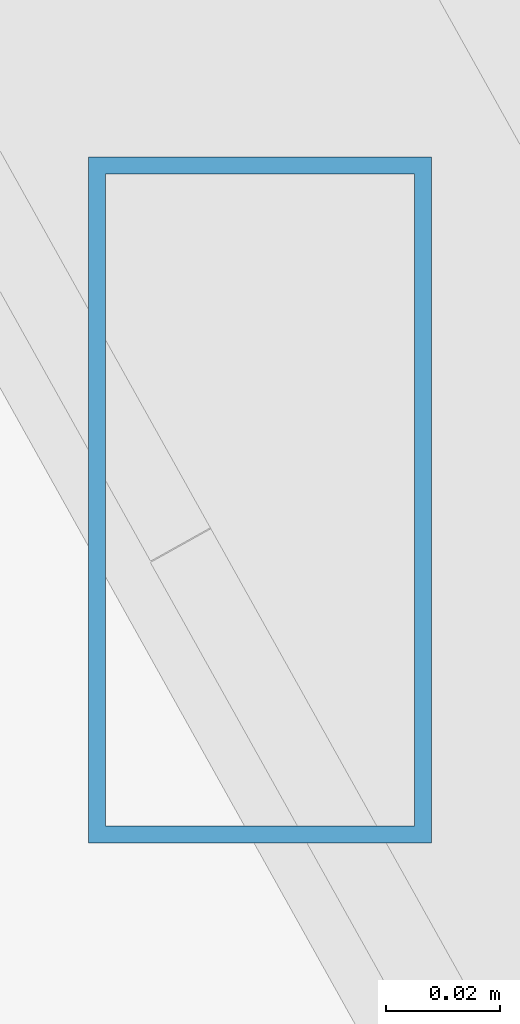
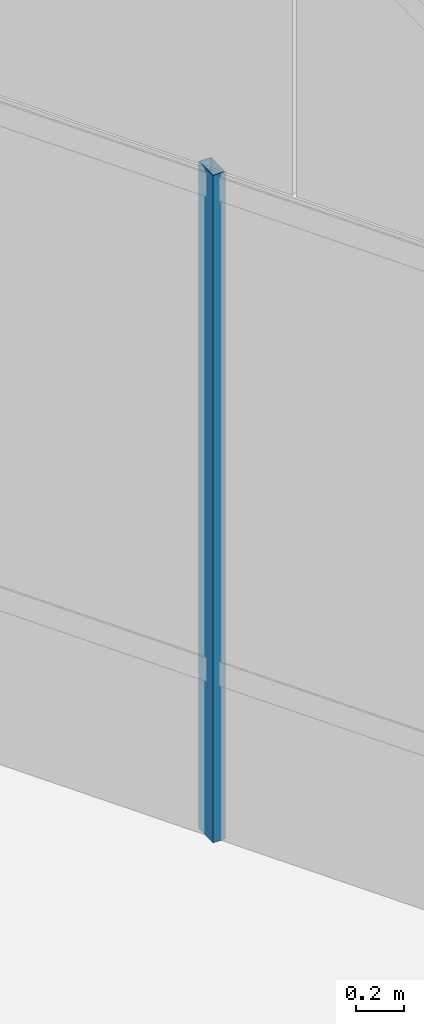
# One storey, part 26 of 50: 1 member, 1 element without a shape of its own.
"""IFC4 building model written with IfcOpenShell, lengths in metres."""

from ifc_helpers import new_model, si_unit, direction, frame, origin, origin_2d, place, context, subcontext, project, spatial, hollow_rectangle, extrude, source, transform, mapped, material, material_profile, profile_set, type_object, type_shapes, element, aggregate, save


model = new_model("IFC4")

# Units and contexts
model_context = context("Model", 3, precision=1e-05, world=origin(), true_north=direction((0.0, 1.0)))
body_context = subcontext(model_context, "Body", "Model", "MODEL_VIEW")
ifc_project = project(units=[si_unit("LENGTHUNIT", "METRE"), si_unit("AREAUNIT", "SQUARE_METRE"), si_unit("VOLUMEUNIT", "CUBIC_METRE"), si_unit("PLANEANGLEUNIT", "RADIAN"), si_unit("MASSUNIT", "GRAM", prefix="KILO")], contexts=[model_context])

# Site, building, storey
site_placement = place(None, origin())
site = spatial("IfcSite", under=ifc_project, at=site_placement, CompositionType="ELEMENT")
building_placement = place(site_placement, origin())
building = spatial("IfcBuilding", under=site, at=building_placement, Name="Caelisora Broadcast Tower", CompositionType="ELEMENT")
storey_placement = place(building_placement, frame((0.0, 0.0, 303.39990234375)))
storey = spatial("IfcBuildingStorey", under=building, at=storey_placement, Name="L80", CompositionType="ELEMENT", Elevation=303.39990234375)

# Curtain wall, member
ifc_material_1 = material(Name="Unitised Aluminium Insulated Shadow-Box Spandrel Curtain Wall", Category="aluminium")
curtain_wall_type = type_object("IfcCurtainWallType", Name="CW-SP3", PredefinedType="NOTDEFINED", material=ifc_material_1)
curtain_wall_placement = place(storey_placement, origin())
curtain_wall = element("IfcCurtainWall", 1, at=curtain_wall_placement, inside=storey, type_object=curtain_wall_type, Name="L80 curtain wall CW-SP3", PredefinedType="NOTDEFINED")
ifc_material_2 = material(Name="Aluminium 6063-T6 Anodised Terracotta Bronze", Category="aluminium")
ifc_material_profile = material_profile(ifc_material_2, hollow_rectangle(XDim=0.06005859375, YDim=0.1201171875, WallThickness=0.0029296875, at=origin_2d()), Name="Aluminium 6063-T6 Anodised Terracotta Bronze")
ifc_profile_set = profile_set([ifc_material_profile], Name="Aluminium 6063-T6 Anodised Terracotta Bronze")
member_type = type_object("IfcMemberType", Name="CWM-04", PredefinedType="MULLION", material=ifc_profile_set)
shared_shape = source(origin(), body_context, "Body", "SweptSolid", [
    extrude(hollow_rectangle(XDim=0.06005859375, YDim=0.1201171875, WallThickness=0.0029296875, at=origin_2d()), origin(), (0.0, 0.0, 1.0), 3.400146484375),
])
type_shapes(member_type, [shared_shape])
member_placement = place(storey_placement, frame((58.758056640625, 16.805908203125, 0.0), z_axis=(0.0, 0.0, 1.0), x_axis=(1.0, 0.0, 0.0)))
member = element("IfcMember", 2, at=member_placement, type_object=member_type, Name="L80-CW-B03 mullion #2", PredefinedType="MULLION", context=body_context, shape_type="MappedRepresentation", body=[
    mapped(shared_shape, transform((0.0, 0.0, 0.0), scale=1.0)),
])
aggregate(curtain_wall, [member])

save(model, "model.ifc")
